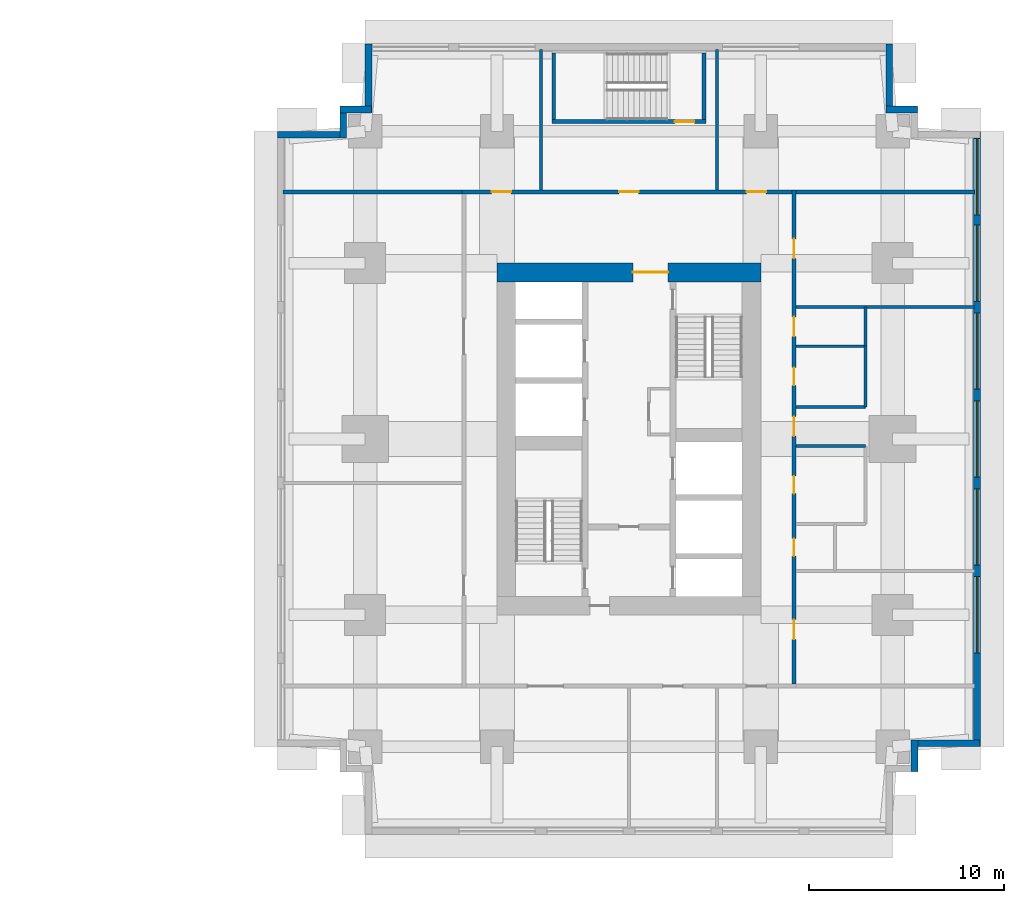
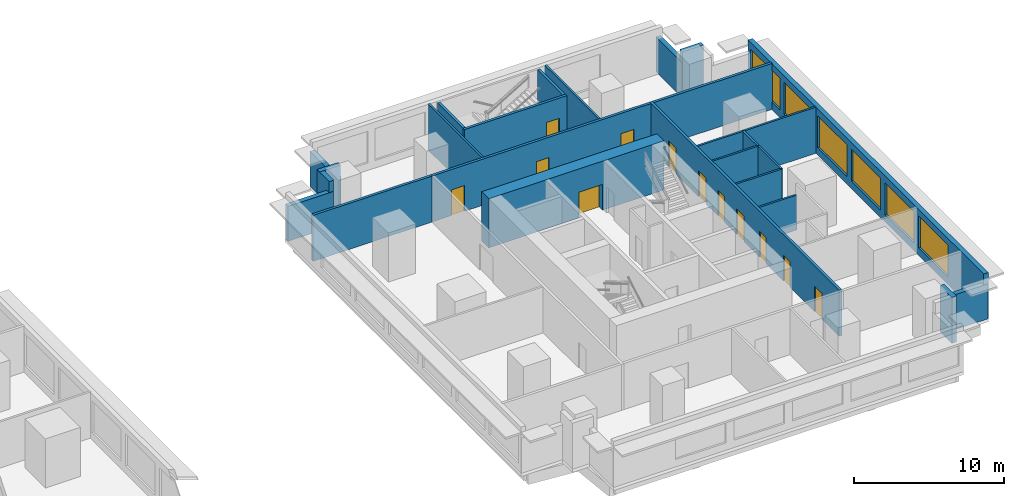
# One storey, part 7 of 11: 25 walls, 12 doors, 6 windows, 18 openings.
"""IFC4 building model written with IfcOpenShell, lengths in metres."""

from ifc_helpers import new_model, si_unit, direction, frame, frame_2d, origin, place, context, subcontext, project, spatial, rectangle, extrude, material, layer, layer_set, type_object, element, fill, save


model = new_model("IFC4")

# Units and contexts
model_context = context("Model", 3, precision=1e-05, world=origin(), true_north=direction((0.0, 1.0)))
body_context = subcontext(model_context, "Body", "Model", "MODEL_VIEW")
ifc_project = project(units=[si_unit("LENGTHUNIT", "METRE"), si_unit("AREAUNIT", "SQUARE_METRE"), si_unit("VOLUMEUNIT", "CUBIC_METRE"), si_unit("PLANEANGLEUNIT", "RADIAN"), si_unit("MASSUNIT", "GRAM", prefix="KILO")], contexts=[model_context])

# Site, building, storey
site_placement = place(None, origin())
site = spatial("IfcSite", under=ifc_project, at=site_placement, CompositionType="ELEMENT")
building_placement = place(site_placement, origin())
building = spatial("IfcBuilding", under=site, at=building_placement, Name="Namib Vertical Campus", CompositionType="ELEMENT")
storey_placement = place(building_placement, frame((0.0, 0.0, 69.0)))
storey = spatial("IfcBuildingStorey", under=building, at=storey_placement, Name="L16", CompositionType="ELEMENT", Elevation=69.0)

# Wall, opening, door
ifc_material_1 = material(Name="Concrete C60/75", Category="concrete")
ifc_layer_1 = layer(ifc_material_1, 0.949951171875)
ifc_layer_set_1 = layer_set([ifc_layer_1], Name="Concrete C60/75")
wall_type_1 = type_object("IfcWallType", Name="Core wall 950", PredefinedType="SHEAR", material=ifc_layer_set_1)
wall_1_placement = place(storey_placement, frame((87.75, 28.77490234375, 0.0), z_axis=(0.0, 0.0, 1.0), x_axis=(-1.0, 0.0, 0.0)))
wall_1 = element("IfcWall", 1, at=wall_1_placement, inside=storey, type_object=wall_type_1, Name="Core wall B L16 3", PredefinedType="SHEAR", context=body_context, shape_type="SweptSolid", body=[
    extrude(rectangle(XDim=13.5, YDim=0.949951171875, at=frame_2d((6.75, 0.0))), origin(), (0.0, 0.0, 1.0), 4.0),
])
opening_1_placement = place(wall_1_placement, frame((4.75, 0.0, 0.0)))
opening_1 = element("IfcOpeningElement", 2, at=opening_1_placement, cuts=wall_1, Name="Opening FD2", PredefinedType="OPENING", context=body_context, shape_type="SweptSolid", body=[
    extrude(rectangle(XDim=1.800048828125, YDim=2.10009765625, at=frame_2d((0.89990234375, 1.050048828125))), frame((0.0, 0.48486328125, 0.0), z_axis=(0.0, -1.0, 0.0), x_axis=(1.0, 0.0, 0.0)), (0.0, 0.0, 1.0), 0.969970703125),
])
ifc_material_2 = material(Name="Steel fire door", Category="steel")
door_type_1 = type_object("IfcDoorType", Name="Fire door double 1800x2100", OperationType="DOUBLE_DOOR_SINGLE_SWING", PredefinedType="DOOR", material=ifc_material_2)
door_1_placement = place(opening_1_placement, origin())
door_1 = element("IfcDoor", 3, at=door_1_placement, inside=storey, type_object=door_type_1, Name="Lift lobby door FD2 B L16", OperationType="DOUBLE_DOOR_SINGLE_SWING", OverallHeight=2.10009765625, OverallWidth=1.800048828125, PredefinedType="DOOR", context=body_context, shape_type="SweptSolid", body=[
    extrude(rectangle(XDim=1.800048828125, YDim=2.10009765625, at=frame_2d((0.89990234375, 1.050048828125))), frame((0.0, 0.02490234375, 0.0), z_axis=(0.0, -1.0, 0.0), x_axis=(1.0, 0.0, 0.0)), (0.0, 0.0, 1.0), 0.050048828125),
])
fill(opening_1, door_1)

# Wall, openings, doors
ifc_material_3 = material(Name="Concrete masonry", Category="masonry")
ifc_layer_2 = layer(ifc_material_3, 0.199951171875)
ifc_layer_set_2 = layer_set([ifc_layer_2], Name="Corridor wall 200")
wall_type_2 = type_object("IfcWallType", Name="Corridor wall 200", PredefinedType="SOLIDWALL", material=ifc_layer_set_2)
wall_2_placement = place(storey_placement, frame((89.449951171875, 7.699951171875, 0.0), z_axis=(0.0, 0.0, 1.0), x_axis=(0.0, 1.0, 0.0)))
wall_2 = element("IfcWall", 4, at=wall_2_placement, inside=storey, type_object=wall_type_2, Name="Corridor wall B L16 CE", PredefinedType="SOLIDWALL", context=body_context, shape_type="SweptSolid", body=[
    extrude(rectangle(XDim=25.300048828125, YDim=0.199951171875, at=frame_2d((12.64990234375, 0.0))), origin(), (0.0, 0.0, 1.0), 3.75),
])
opening_2_placement = place(wall_2_placement, frame((2.300048828125, 0.0, 0.0)))
opening_2 = element("IfcOpeningElement", 5, at=opening_2_placement, cuts=wall_2, Name="Opening CD1", PredefinedType="OPENING", context=body_context, shape_type="SweptSolid", body=[
    extrude(rectangle(XDim=1.0, YDim=2.10009765625, at=frame_2d((0.5, 1.050048828125))), frame((0.0, 0.10986328125, 0.0), z_axis=(0.0, -1.0, 0.0), x_axis=(1.0, 0.0, 0.0)), (0.0, 0.0, 1.0), 0.219970703125),
])
opening_3_placement = place(wall_2_placement, frame((6.550048828125, 0.0, 0.0)))
opening_3 = element("IfcOpeningElement", 6, at=opening_3_placement, cuts=wall_2, Name="Opening CD3", PredefinedType="OPENING", context=body_context, shape_type="SweptSolid", body=[
    extrude(rectangle(XDim=0.89990234375, YDim=2.10009765625, at=frame_2d((0.449951171875, 1.050048828125))), frame((0.0, 0.10986328125, 0.0), z_axis=(0.0, -1.0, 0.0), x_axis=(1.0, 0.0, 0.0)), (0.0, 0.0, 1.0), 0.219970703125),
])
opening_4_placement = place(wall_2_placement, frame((9.75, 0.0, 0.0)))
opening_4 = element("IfcOpeningElement", 7, at=opening_4_placement, cuts=wall_2, Name="Opening CD3", PredefinedType="OPENING", context=body_context, shape_type="SweptSolid", body=[
    extrude(rectangle(XDim=0.89990234375, YDim=2.10009765625, at=frame_2d((0.449951171875, 1.050048828125))), frame((0.0, 0.10986328125, 0.0), z_axis=(0.0, -1.0, 0.0), x_axis=(1.0, 0.0, 0.0)), (0.0, 0.0, 1.0), 0.219970703125),
])
opening_5_placement = place(wall_2_placement, frame((15.300048828125, 0.0, 0.0)))
opening_5 = element("IfcOpeningElement", 8, at=opening_5_placement, cuts=wall_2, Name="Opening CD3", PredefinedType="OPENING", context=body_context, shape_type="SweptSolid", body=[
    extrude(rectangle(XDim=0.89990234375, YDim=2.10009765625, at=frame_2d((0.449951171875, 1.050048828125))), frame((0.0, 0.10986328125, 0.0), z_axis=(0.0, -1.0, 0.0), x_axis=(1.0, 0.0, 0.0)), (0.0, 0.0, 1.0), 0.219970703125),
])
opening_6_placement = place(wall_2_placement, frame((17.800048828125, 0.0, 0.0)))
opening_6 = element("IfcOpeningElement", 9, at=opening_6_placement, cuts=wall_2, Name="Opening CD1", PredefinedType="OPENING", context=body_context, shape_type="SweptSolid", body=[
    extrude(rectangle(XDim=1.0, YDim=2.10009765625, at=frame_2d((0.5, 1.050048828125))), frame((0.0, 0.10986328125, 0.0), z_axis=(0.0, -1.0, 0.0), x_axis=(1.0, 0.0, 0.0)), (0.0, 0.0, 1.0), 0.219970703125),
])
opening_7_placement = place(wall_2_placement, frame((12.699951171875, 0.0, 0.0)))
opening_7 = element("IfcOpeningElement", 10, at=opening_7_placement, cuts=wall_2, Name="Opening CD1", PredefinedType="OPENING", context=body_context, shape_type="SweptSolid", body=[
    extrude(rectangle(XDim=1.0, YDim=2.10009765625, at=frame_2d((0.5, 1.050048828125))), frame((0.0, 0.10986328125, 0.0), z_axis=(0.0, -1.0, 0.0), x_axis=(1.0, 0.0, 0.0)), (0.0, 0.0, 1.0), 0.219970703125),
])
opening_8_placement = place(wall_2_placement, frame((21.800048828125, 0.0, 0.0)))
opening_8 = element("IfcOpeningElement", 11, at=opening_8_placement, cuts=wall_2, Name="Opening CD1", PredefinedType="OPENING", context=body_context, shape_type="SweptSolid", body=[
    extrude(rectangle(XDim=1.0, YDim=2.10009765625, at=frame_2d((0.5, 1.050048828125))), frame((0.0, 0.10986328125, 0.0), z_axis=(0.0, -1.0, 0.0), x_axis=(1.0, 0.0, 0.0)), (0.0, 0.0, 1.0), 0.219970703125),
])
ifc_material_4 = material(Name="Timber fire door leaf", Category="wood")
door_type_2 = type_object("IfcDoorType", Name="Corridor door 1000x2100 20 min", OperationType="SINGLE_SWING_LEFT", PredefinedType="DOOR", material=ifc_material_4)
door_2_placement = place(opening_2_placement, frame((1.0, 0.0, 0.0), z_axis=(0.0, 0.0, 1.0), x_axis=(-1.0, 0.0, 0.0)))
door_2 = element("IfcDoor", 12, at=door_2_placement, inside=storey, type_object=door_type_2, Name="Door CD1 B16-04", OperationType="SINGLE_SWING_RIGHT", OverallHeight=2.10009765625, OverallWidth=1.0, PredefinedType="DOOR", context=body_context, shape_type="SweptSolid", body=[
    extrude(rectangle(XDim=1.0, YDim=2.10009765625, at=frame_2d((0.5, 1.050048828125))), frame((0.0, 0.02490234375, 0.0), z_axis=(0.0, -1.0, 0.0), x_axis=(1.0, 0.0, 0.0)), (0.0, 0.0, 1.0), 0.050048828125),
])
fill(opening_2, door_2)
door_3_placement = place(opening_6_placement, frame((1.0, 0.0, 0.0), z_axis=(0.0, 0.0, 1.0), x_axis=(-1.0, 0.0, 0.0)))
door_3 = element("IfcDoor", 13, at=door_3_placement, inside=storey, type_object=door_type_2, Name="Door CD1 B16-08", OperationType="SINGLE_SWING_RIGHT", OverallHeight=2.10009765625, OverallWidth=1.0, PredefinedType="DOOR", context=body_context, shape_type="SweptSolid", body=[
    extrude(rectangle(XDim=1.0, YDim=2.10009765625, at=frame_2d((0.5, 1.050048828125))), frame((0.0, 0.02490234375, 0.0), z_axis=(0.0, -1.0, 0.0), x_axis=(1.0, 0.0, 0.0)), (0.0, 0.0, 1.0), 0.050048828125),
])
fill(opening_6, door_3)
door_4_placement = place(opening_7_placement, frame((1.0, 0.0, 0.0), z_axis=(0.0, 0.0, 1.0), x_axis=(-1.0, 0.0, 0.0)))
door_4 = element("IfcDoor", 14, at=door_4_placement, inside=storey, type_object=door_type_2, Name="Door CD1 B16-09", OperationType="SINGLE_SWING_RIGHT", OverallHeight=2.10009765625, OverallWidth=1.0, PredefinedType="DOOR", context=body_context, shape_type="SweptSolid", body=[
    extrude(rectangle(XDim=1.0, YDim=2.10009765625, at=frame_2d((0.5, 1.050048828125))), frame((0.0, 0.02490234375, 0.0), z_axis=(0.0, -1.0, 0.0), x_axis=(1.0, 0.0, 0.0)), (0.0, 0.0, 1.0), 0.050048828125),
])
fill(opening_7, door_4)
door_5_placement = place(opening_8_placement, frame((1.0, 0.0, 0.0), z_axis=(0.0, 0.0, 1.0), x_axis=(-1.0, 0.0, 0.0)))
door_5 = element("IfcDoor", 15, at=door_5_placement, inside=storey, type_object=door_type_2, Name="Door CD1 B16-10", OperationType="SINGLE_SWING_RIGHT", OverallHeight=2.10009765625, OverallWidth=1.0, PredefinedType="DOOR", context=body_context, shape_type="SweptSolid", body=[
    extrude(rectangle(XDim=1.0, YDim=2.10009765625, at=frame_2d((0.5, 1.050048828125))), frame((0.0, 0.02490234375, 0.0), z_axis=(0.0, -1.0, 0.0), x_axis=(1.0, 0.0, 0.0)), (0.0, 0.0, 1.0), 0.050048828125),
])
fill(opening_8, door_5)
ifc_material_5 = material(Name="Timber fire door leaf", Category="wood")
door_type_3 = type_object("IfcDoorType", Name="Corridor toilet door 900x2100 20 min", OperationType="SINGLE_SWING_LEFT", PredefinedType="DOOR", material=ifc_material_5)
door_6_placement = place(opening_3_placement, frame((0.89990234375, 0.0, 0.0), z_axis=(0.0, 0.0, 1.0), x_axis=(-1.0, 0.0, 0.0)))
door_6 = element("IfcDoor", 16, at=door_6_placement, inside=storey, type_object=door_type_3, Name="Door CD3 B16-05", OperationType="SINGLE_SWING_RIGHT", OverallHeight=2.10009765625, OverallWidth=0.89990234375, PredefinedType="DOOR", context=body_context, shape_type="SweptSolid", body=[
    extrude(rectangle(XDim=0.89990234375, YDim=2.10009765625, at=frame_2d((0.449951171875, 1.050048828125))), frame((0.0, 0.02490234375, 0.0), z_axis=(0.0, -1.0, 0.0), x_axis=(1.0, 0.0, 0.0)), (0.0, 0.0, 1.0), 0.050048828125),
])
fill(opening_3, door_6)
door_7_placement = place(opening_4_placement, frame((0.89990234375, 0.0, 0.0), z_axis=(0.0, 0.0, 1.0), x_axis=(-1.0, 0.0, 0.0)))
door_7 = element("IfcDoor", 17, at=door_7_placement, inside=storey, type_object=door_type_3, Name="Door CD3 B16-06", OperationType="SINGLE_SWING_RIGHT", OverallHeight=2.10009765625, OverallWidth=0.89990234375, PredefinedType="DOOR", context=body_context, shape_type="SweptSolid", body=[
    extrude(rectangle(XDim=0.89990234375, YDim=2.10009765625, at=frame_2d((0.449951171875, 1.050048828125))), frame((0.0, 0.02490234375, 0.0), z_axis=(0.0, -1.0, 0.0), x_axis=(1.0, 0.0, 0.0)), (0.0, 0.0, 1.0), 0.050048828125),
])
fill(opening_4, door_7)
door_8_placement = place(opening_5_placement, frame((0.89990234375, 0.0, 0.0), z_axis=(0.0, 0.0, 1.0), x_axis=(-1.0, 0.0, 0.0)))
door_8 = element("IfcDoor", 18, at=door_8_placement, inside=storey, type_object=door_type_3, Name="Door CD3 B16-07", OperationType="SINGLE_SWING_RIGHT", OverallHeight=2.10009765625, OverallWidth=0.89990234375, PredefinedType="DOOR", context=body_context, shape_type="SweptSolid", body=[
    extrude(rectangle(XDim=0.89990234375, YDim=2.10009765625, at=frame_2d((0.449951171875, 1.050048828125))), frame((0.0, 0.02490234375, 0.0), z_axis=(0.0, -1.0, 0.0), x_axis=(1.0, 0.0, 0.0)), (0.0, 0.0, 1.0), 0.050048828125),
])
fill(opening_5, door_8)

wall_3_placement = place(storey_placement, frame((89.35009765625, 32.89990234375, 0.0), z_axis=(0.0, 0.0, 1.0), x_axis=(-1.0, 0.0, 0.0)))
wall_3 = element("IfcWall", 19, at=wall_3_placement, inside=storey, type_object=wall_type_2, Name="Corridor wall B L16 CN", PredefinedType="SOLIDWALL", context=body_context, shape_type="SweptSolid", body=[
    extrude(rectangle(XDim=16.900146484375, YDim=0.199951171875, at=frame_2d((8.4501953125, 0.0))), origin(), (0.0, 0.0, 1.0), 3.75),
])
opening_9_placement = place(wall_3_placement, frame((14.375, 0.0, 0.0)))
opening_9 = element("IfcOpeningElement", 20, at=opening_9_placement, cuts=wall_3, Name="Opening CD1", PredefinedType="OPENING", context=body_context, shape_type="SweptSolid", body=[
    extrude(rectangle(XDim=1.0, YDim=2.10009765625, at=frame_2d((0.5, 1.050048828125))), frame((0.0, 0.10986328125, 0.0), z_axis=(0.0, -1.0, 0.0), x_axis=(1.0, 0.0, 0.0)), (0.0, 0.0, 1.0), 0.219970703125),
])
opening_10_placement = place(wall_3_placement, frame((7.85009765625, 0.0, 0.0)))
opening_10 = element("IfcOpeningElement", 21, at=opening_10_placement, cuts=wall_3, Name="Opening CD1", PredefinedType="OPENING", context=body_context, shape_type="SweptSolid", body=[
    extrude(rectangle(XDim=1.0, YDim=2.10009765625, at=frame_2d((0.5, 1.050048828125))), frame((0.0, 0.10986328125, 0.0), z_axis=(0.0, -1.0, 0.0), x_axis=(1.0, 0.0, 0.0)), (0.0, 0.0, 1.0), 0.219970703125),
])
opening_11_placement = place(wall_3_placement, frame((1.324951171875, 0.0, 0.0)))
opening_11 = element("IfcOpeningElement", 22, at=opening_11_placement, cuts=wall_3, Name="Opening CD1", PredefinedType="OPENING", context=body_context, shape_type="SweptSolid", body=[
    extrude(rectangle(XDim=1.0, YDim=2.10009765625, at=frame_2d((0.5, 1.050048828125))), frame((0.0, 0.10986328125, 0.0), z_axis=(0.0, -1.0, 0.0), x_axis=(1.0, 0.0, 0.0)), (0.0, 0.0, 1.0), 0.219970703125),
])
door_9_placement = place(opening_9_placement, frame((1.0, 0.0, 0.0), z_axis=(0.0, 0.0, 1.0), x_axis=(-1.0, 0.0, 0.0)))
door_9 = element("IfcDoor", 23, at=door_9_placement, inside=storey, type_object=door_type_2, Name="Door CD1 B16-11", OperationType="SINGLE_SWING_RIGHT", OverallHeight=2.10009765625, OverallWidth=1.0, PredefinedType="DOOR", context=body_context, shape_type="SweptSolid", body=[
    extrude(rectangle(XDim=1.0, YDim=2.10009765625, at=frame_2d((0.5, 1.050048828125))), frame((0.0, 0.02490234375, 0.0), z_axis=(0.0, -1.0, 0.0), x_axis=(1.0, 0.0, 0.0)), (0.0, 0.0, 1.0), 0.050048828125),
])
fill(opening_9, door_9)
door_10_placement = place(opening_10_placement, frame((1.0, 0.0, 0.0), z_axis=(0.0, 0.0, 1.0), x_axis=(-1.0, 0.0, 0.0)))
door_10 = element("IfcDoor", 24, at=door_10_placement, inside=storey, type_object=door_type_2, Name="Door CD1 B16-12", OperationType="SINGLE_SWING_RIGHT", OverallHeight=2.10009765625, OverallWidth=1.0, PredefinedType="DOOR", context=body_context, shape_type="SweptSolid", body=[
    extrude(rectangle(XDim=1.0, YDim=2.10009765625, at=frame_2d((0.5, 1.050048828125))), frame((0.0, 0.02490234375, 0.0), z_axis=(0.0, -1.0, 0.0), x_axis=(1.0, 0.0, 0.0)), (0.0, 0.0, 1.0), 0.050048828125),
])
fill(opening_10, door_10)
door_11_placement = place(opening_11_placement, frame((1.0, 0.0, 0.0), z_axis=(0.0, 0.0, 1.0), x_axis=(-1.0, 0.0, 0.0)))
door_11 = element("IfcDoor", 25, at=door_11_placement, inside=storey, type_object=door_type_2, Name="Door CD1 B16-13", OperationType="SINGLE_SWING_LEFT", OverallHeight=2.10009765625, OverallWidth=1.0, PredefinedType="DOOR", context=body_context, shape_type="SweptSolid", body=[
    extrude(rectangle(XDim=1.0, YDim=2.10009765625, at=frame_2d((0.5, 1.050048828125))), frame((0.0, 0.02490234375, 0.0), z_axis=(0.0, -1.0, 0.0), x_axis=(1.0, 0.0, 0.0)), (0.0, 0.0, 1.0), 0.050048828125),
])
fill(opening_11, door_11)

# Walls
for number, where, z_axis, x_axis, name in (
    (26, (63.300048828125, 32.89990234375, 0.0), (0.0, 0.0, 1.0), (1.0, 0.0, 0.0), "Partition B L16 BNW"),
    (27, (89.550048828125, 32.89990234375, 0.0), (0.0, 0.0, 1.0), (1.0, 0.0, 0.0), "Partition B L16 BNE"),
):
    element("IfcWall", number, at=place(storey_placement, frame(where, z_axis=z_axis, x_axis=x_axis)), inside=storey, type_object=wall_type_2, Name=name, PredefinedType="SOLIDWALL", context=body_context, shape_type="SweptSolid", body=[
        extrude(rectangle(XDim=9.14990234375, YDim=0.199951171875, at=frame_2d((4.574951171875, 0.0))), origin(), (0.0, 0.0, 1.0), 3.75),
    ])
ifc_material_6 = material(Name="Concrete C40/50", Category="concrete")
ifc_layer_3 = layer(ifc_material_6, 0.35009765625)
ifc_layer_set_3 = layer_set([ifc_layer_3], Name="Concrete C40/50")
wall_type_3 = type_object("IfcWallType", Name="External wall 350 bush-hammered concrete", PredefinedType="STANDARD", material=ifc_layer_set_3)
wall_4_placement = place(storey_placement, frame((95.625, 3.219970703125, 0.0), z_axis=(0.0, 0.0, 1.0), x_axis=(0.0, 1.0, 0.0)))
element("IfcWall", 28, at=wall_4_placement, inside=storey, type_object=wall_type_3, Name="External wall L16 F04", PredefinedType="STANDARD", context=body_context, shape_type="SweptSolid", body=[
    extrude(rectangle(XDim=1.610107421875, YDim=0.35009765625, at=frame_2d((0.80517578125, 0.0))), origin(), (0.0, 0.0, 1.0), 3.75),
])
wall_5_placement = place(storey_placement, frame((95.469970703125, 4.675048828125, 0.0), z_axis=(0.0, 0.0, 1.0), x_axis=(1.0, 0.0, 0.0)))
element("IfcWall", 29, at=wall_5_placement, inside=storey, type_object=wall_type_3, Name="External wall L16 F05", PredefinedType="STANDARD", context=body_context, shape_type="SweptSolid", body=[
    extrude(rectangle(XDim=3.510009765625, YDim=0.35009765625, at=frame_2d((1.7548828125, 0.0))), origin(), (0.0, 0.0, 1.0), 2.85009765625),
])

# Wall, openings, windows
wall_6_placement = place(storey_placement, frame((98.824951171875, 4.52001953125, 0.0), z_axis=(0.0, 0.0, 1.0), x_axis=(0.0, 1.0, 0.0)))
wall_6 = element("IfcWall", 30, at=wall_6_placement, inside=storey, type_object=wall_type_3, Name="External wall L16 F06", PredefinedType="STANDARD", context=body_context, shape_type="SweptSolid", body=[
    extrude(rectangle(XDim=31.4599609375, YDim=0.35009765625, at=frame_2d((15.72998046875, 0.0))), origin(), (0.0, 0.0, 1.0), 3.75),
])
opening_12_placement = place(wall_6_placement, frame((4.780029296875, 0.0, 0.60009765625)))
opening_12 = element("IfcOpeningElement", 31, at=opening_12_placement, cuts=wall_6, Name="Opening W2", PredefinedType="OPENING", context=body_context, shape_type="SweptSolid", body=[
    extrude(rectangle(XDim=3.89990234375, YDim=2.60009765625, at=frame_2d((1.949951171875, 1.300048828125))), frame((0.0, 0.18505859375, 0.0), z_axis=(0.0, -1.0, 0.0), x_axis=(1.0, 0.0, 0.0)), (0.0, 0.0, 1.0), 0.3701171875),
])
opening_13_placement = place(wall_6_placement, frame((9.280029296875, 0.0, 0.60009765625)))
opening_13 = element("IfcOpeningElement", 32, at=opening_13_placement, cuts=wall_6, Name="Opening W2", PredefinedType="OPENING", context=body_context, shape_type="SweptSolid", body=[
    extrude(rectangle(XDim=3.89990234375, YDim=2.60009765625, at=frame_2d((1.949951171875, 1.300048828125))), frame((0.0, 0.18505859375, 0.0), z_axis=(0.0, -1.0, 0.0), x_axis=(1.0, 0.0, 0.0)), (0.0, 0.0, 1.0), 0.3701171875),
])
opening_14_placement = place(wall_6_placement, frame((13.780029296875, 0.0, 0.60009765625)))
opening_14 = element("IfcOpeningElement", 33, at=opening_14_placement, cuts=wall_6, Name="Opening W2", PredefinedType="OPENING", context=body_context, shape_type="SweptSolid", body=[
    extrude(rectangle(XDim=3.89990234375, YDim=2.60009765625, at=frame_2d((1.949951171875, 1.300048828125))), frame((0.0, 0.18505859375, 0.0), z_axis=(0.0, -1.0, 0.0), x_axis=(1.0, 0.0, 0.0)), (0.0, 0.0, 1.0), 0.3701171875),
])
opening_15_placement = place(wall_6_placement, frame((18.280029296875, 0.0, 0.60009765625)))
opening_15 = element("IfcOpeningElement", 34, at=opening_15_placement, cuts=wall_6, Name="Opening W2", PredefinedType="OPENING", context=body_context, shape_type="SweptSolid", body=[
    extrude(rectangle(XDim=3.89990234375, YDim=2.60009765625, at=frame_2d((1.949951171875, 1.300048828125))), frame((0.0, 0.18505859375, 0.0), z_axis=(0.0, -1.0, 0.0), x_axis=(1.0, 0.0, 0.0)), (0.0, 0.0, 1.0), 0.3701171875),
])
opening_16_placement = place(wall_6_placement, frame((22.780029296875, 0.0, 0.60009765625)))
opening_16 = element("IfcOpeningElement", 35, at=opening_16_placement, cuts=wall_6, Name="Opening W2", PredefinedType="OPENING", context=body_context, shape_type="SweptSolid", body=[
    extrude(rectangle(XDim=3.89990234375, YDim=2.60009765625, at=frame_2d((1.949951171875, 1.300048828125))), frame((0.0, 0.18505859375, 0.0), z_axis=(0.0, -1.0, 0.0), x_axis=(1.0, 0.0, 0.0)), (0.0, 0.0, 1.0), 0.3701171875),
])
opening_17_placement = place(wall_6_placement, frame((27.2099609375, 0.0, 0.60009765625)))
opening_17 = element("IfcOpeningElement", 36, at=opening_17_placement, cuts=wall_6, Name="Opening W2", PredefinedType="OPENING", context=body_context, shape_type="SweptSolid", body=[
    extrude(rectangle(XDim=3.89990234375, YDim=2.60009765625, at=frame_2d((1.949951171875, 1.300048828125))), frame((0.0, 0.18505859375, 0.0), z_axis=(0.0, -1.0, 0.0), x_axis=(1.0, 0.0, 0.0)), (0.0, 0.0, 1.0), 0.3701171875),
])
ifc_material_7 = material(Name="Dark tinted glass in black aluminium frame", Category="aluminium")
window_type = type_object("IfcWindowType", Name="Ribbon window 3900x2600", PartitioningType="SINGLE_PANEL", PredefinedType="WINDOW", material=ifc_material_7)
window_1_placement = place(opening_12_placement, origin())
window_1 = element("IfcWindow", 37, at=window_1_placement, inside=storey, type_object=window_type, Name="Window W2 L16 F06-2", OverallHeight=2.60009765625, OverallWidth=3.89990234375, PartitioningType="SINGLE_PANEL", PredefinedType="WINDOW", context=body_context, shape_type="SweptSolid", body=[
    extrude(rectangle(XDim=3.89990234375, YDim=2.60009765625, at=frame_2d((1.949951171875, 1.300048828125))), frame((0.0, 0.030029296875, 0.0), z_axis=(0.0, -1.0, 0.0), x_axis=(1.0, 0.0, 0.0)), (0.0, 0.0, 1.0), 0.06005859375),
])
fill(opening_12, window_1)
window_2_placement = place(opening_13_placement, origin())
window_2 = element("IfcWindow", 38, at=window_2_placement, inside=storey, type_object=window_type, Name="Window W2 L16 F06-3", OverallHeight=2.60009765625, OverallWidth=3.89990234375, PartitioningType="SINGLE_PANEL", PredefinedType="WINDOW", context=body_context, shape_type="SweptSolid", body=[
    extrude(rectangle(XDim=3.89990234375, YDim=2.60009765625, at=frame_2d((1.949951171875, 1.300048828125))), frame((0.0, 0.030029296875, 0.0), z_axis=(0.0, -1.0, 0.0), x_axis=(1.0, 0.0, 0.0)), (0.0, 0.0, 1.0), 0.06005859375),
])
fill(opening_13, window_2)
window_3_placement = place(opening_14_placement, origin())
window_3 = element("IfcWindow", 39, at=window_3_placement, inside=storey, type_object=window_type, Name="Window W2 L16 F06-4", OverallHeight=2.60009765625, OverallWidth=3.89990234375, PartitioningType="SINGLE_PANEL", PredefinedType="WINDOW", context=body_context, shape_type="SweptSolid", body=[
    extrude(rectangle(XDim=3.89990234375, YDim=2.60009765625, at=frame_2d((1.949951171875, 1.300048828125))), frame((0.0, 0.030029296875, 0.0), z_axis=(0.0, -1.0, 0.0), x_axis=(1.0, 0.0, 0.0)), (0.0, 0.0, 1.0), 0.06005859375),
])
fill(opening_14, window_3)
window_4_placement = place(opening_15_placement, origin())
window_4 = element("IfcWindow", 40, at=window_4_placement, inside=storey, type_object=window_type, Name="Window W2 L16 F06-5", OverallHeight=2.60009765625, OverallWidth=3.89990234375, PartitioningType="SINGLE_PANEL", PredefinedType="WINDOW", context=body_context, shape_type="SweptSolid", body=[
    extrude(rectangle(XDim=3.89990234375, YDim=2.60009765625, at=frame_2d((1.949951171875, 1.300048828125))), frame((0.0, 0.030029296875, 0.0), z_axis=(0.0, -1.0, 0.0), x_axis=(1.0, 0.0, 0.0)), (0.0, 0.0, 1.0), 0.06005859375),
])
fill(opening_15, window_4)
window_5_placement = place(opening_16_placement, origin())
window_5 = element("IfcWindow", 41, at=window_5_placement, inside=storey, type_object=window_type, Name="Window W2 L16 F06-6", OverallHeight=2.60009765625, OverallWidth=3.89990234375, PartitioningType="SINGLE_PANEL", PredefinedType="WINDOW", context=body_context, shape_type="SweptSolid", body=[
    extrude(rectangle(XDim=3.89990234375, YDim=2.60009765625, at=frame_2d((1.949951171875, 1.300048828125))), frame((0.0, 0.030029296875, 0.0), z_axis=(0.0, -1.0, 0.0), x_axis=(1.0, 0.0, 0.0)), (0.0, 0.0, 1.0), 0.06005859375),
])
fill(opening_16, window_5)
window_6_placement = place(opening_17_placement, origin())
window_6 = element("IfcWindow", 42, at=window_6_placement, inside=storey, type_object=window_type, Name="Window W2 L16 F06-7", OverallHeight=2.60009765625, OverallWidth=3.89990234375, PartitioningType="SINGLE_PANEL", PredefinedType="WINDOW", context=body_context, shape_type="SweptSolid", body=[
    extrude(rectangle(XDim=3.89990234375, YDim=2.60009765625, at=frame_2d((1.949951171875, 1.300048828125))), frame((0.0, 0.030029296875, 0.0), z_axis=(0.0, -1.0, 0.0), x_axis=(1.0, 0.0, 0.0)), (0.0, 0.0, 1.0), 0.06005859375),
])
fill(opening_17, window_6)

# Walls
wall_7_placement = place(storey_placement, frame((95.780029296875, 37.125, 0.0), z_axis=(0.0, 0.0, 1.0), x_axis=(-1.0, 0.0, 0.0)))
element("IfcWall", 43, at=wall_7_placement, inside=storey, type_object=wall_type_3, Name="External wall L16 F09", PredefinedType="STANDARD", context=body_context, shape_type="SweptSolid", body=[
    extrude(rectangle(XDim=1.610107421875, YDim=0.35009765625, at=frame_2d((0.80517578125, 0.0))), origin(), (0.0, 0.0, 1.0), 3.75),
])
for number, where, z_axis, x_axis, name in (
    (44, (94.324951171875, 36.969970703125, 0.0), (0.0, 0.0, 1.0), (0.0, 1.0, 0.0), "External wall L16 F10"),
    (45, (67.675048828125, 40.47998046875, 0.0), (0.0, 0.0, 1.0), (0.0, -1.0, 0.0), "External wall L16 F12"),
):
    element("IfcWall", number, at=place(storey_placement, frame(where, z_axis=z_axis, x_axis=x_axis)), inside=storey, type_object=wall_type_3, Name=name, PredefinedType="STANDARD", context=body_context, shape_type="SweptSolid", body=[
        extrude(rectangle(XDim=3.510009765625, YDim=0.35009765625, at=frame_2d((1.7548828125, 0.0))), origin(), (0.0, 0.0, 1.0), 2.85009765625),
    ])
for number, where, z_axis, x_axis, name in (
    (46, (67.830078125, 37.125, 0.0), (0.0, 0.0, 1.0), (-1.0, 0.0, 0.0), "External wall L16 F13"),
    (47, (66.375, 37.280029296875, 0.0), (0.0, 0.0, 1.0), (0.0, -1.0, 0.0), "External wall L16 F14"),
):
    element("IfcWall", number, at=place(storey_placement, frame(where, z_axis=z_axis, x_axis=x_axis)), inside=storey, type_object=wall_type_3, Name=name, PredefinedType="STANDARD", context=body_context, shape_type="SweptSolid", body=[
        extrude(rectangle(XDim=1.610107421875, YDim=0.35009765625, at=frame_2d((0.80517578125, 0.0))), origin(), (0.0, 0.0, 1.0), 3.75),
    ])
wall_8_placement = place(storey_placement, frame((66.530029296875, 35.824951171875, 0.0), z_axis=(0.0, 0.0, 1.0), x_axis=(-1.0, 0.0, 0.0)))
element("IfcWall", 48, at=wall_8_placement, inside=storey, type_object=wall_type_3, Name="External wall L16 F15", PredefinedType="STANDARD", context=body_context, shape_type="SweptSolid", body=[
    extrude(rectangle(XDim=3.510009765625, YDim=0.35009765625, at=frame_2d((1.7548828125, 0.0))), origin(), (0.0, 0.0, 1.0), 2.85009765625),
])
ifc_material_8 = material(Name="Gypsum board on steel studs", Category="steel")
ifc_layer_4 = layer(ifc_material_8, 0.14990234375)
ifc_layer_set_4 = layer_set([ifc_layer_4], Name="Gypsum board on steel studs")
wall_type_4 = type_object("IfcWallType", Name="Partition 150", PredefinedType="PARTITIONING", material=ifc_layer_set_4)
for number, where, z_axis, x_axis, name in (
    (49, (76.5, 33.0, 0.0), (0.0, 0.0, 1.0), (0.0, 1.0, 0.0), "Partition B L16 PN1"),
    (50, (85.5, 33.0, 0.0), (0.0, 0.0, 1.0), (0.0, 1.0, 0.0), "Partition B L16 PN2"),
):
    element("IfcWall", number, at=place(storey_placement, frame(where, z_axis=z_axis, x_axis=x_axis)), inside=storey, type_object=wall_type_4, Name=name, PredefinedType="PARTITIONING", context=body_context, shape_type="SweptSolid", body=[
        extrude(rectangle(XDim=7.199951171875, YDim=0.14990234375, at=frame_2d((3.60009765625, 0.0))), origin(), (0.0, 0.0, 1.0), 3.75),
    ])
wall_9_placement = place(storey_placement, frame((89.550048828125, 27.0, 0.0), z_axis=(0.0, 0.0, 1.0), x_axis=(1.0, 0.0, 0.0)))
element("IfcWall", 51, at=wall_9_placement, inside=storey, type_object=wall_type_4, Name="Partition B L16 PE2", PredefinedType="PARTITIONING", context=body_context, shape_type="SweptSolid", body=[
    extrude(rectangle(XDim=9.14990234375, YDim=0.14990234375, at=frame_2d((4.574951171875, 0.0))), origin(), (0.0, 0.0, 1.0), 3.75),
])
wall_10_placement = place(storey_placement, frame((89.550048828125, 19.89990234375, 0.0), z_axis=(0.0, 0.0, 1.0), x_axis=(1.0, 0.0, 0.0)))
element("IfcWall", 52, at=wall_10_placement, inside=storey, type_object=wall_type_4, Name="Partition B L16 WR2", PredefinedType="PARTITIONING", context=body_context, shape_type="SweptSolid", body=[
    extrude(rectangle(XDim=3.550048828125, YDim=0.14990234375, at=frame_2d((1.77490234375, 0.0))), origin(), (0.0, 0.0, 1.0), 2.85009765625),
])
for number, where, z_axis, x_axis, name in (
    (53, (89.550048828125, 21.89990234375, 0.0), (0.0, 0.0, 1.0), (1.0, 0.0, 0.0), "Partition B L16 WR3"),
    (54, (89.550048828125, 25.0, 0.0), (0.0, 0.0, 1.0), (1.0, 0.0, 0.0), "Partition B L16 WR4"),
):
    element("IfcWall", number, at=place(storey_placement, frame(where, z_axis=z_axis, x_axis=x_axis)), inside=storey, type_object=wall_type_4, Name=name, PredefinedType="PARTITIONING", context=body_context, shape_type="SweptSolid", body=[
        extrude(rectangle(XDim=3.550048828125, YDim=0.14990234375, at=frame_2d((1.77490234375, 0.0))), origin(), (0.0, 0.0, 1.0), 3.75),
    ])
wall_11_placement = place(storey_placement, frame((93.10009765625, 21.89990234375, 0.0), z_axis=(0.0, 0.0, 1.0), x_axis=(0.0, 1.0, 0.0)))
element("IfcWall", 55, at=wall_11_placement, inside=storey, type_object=wall_type_4, Name="Partition B L16 WB3", PredefinedType="PARTITIONING", context=body_context, shape_type="SweptSolid", body=[
    extrude(rectangle(XDim=3.10009765625, YDim=0.14990234375, at=frame_2d((1.550048828125, 0.0))), origin(), (0.0, 0.0, 1.0), 3.75),
])
wall_12_placement = place(storey_placement, frame((93.10009765625, 25.0, 0.0), z_axis=(0.0, 0.0, 1.0), x_axis=(0.0, 1.0, 0.0)))
element("IfcWall", 56, at=wall_12_placement, inside=storey, type_object=wall_type_4, Name="Partition B L16 WB4", PredefinedType="PARTITIONING", context=body_context, shape_type="SweptSolid", body=[
    extrude(rectangle(XDim=2.0, YDim=0.14990234375, at=frame_2d((1.0, 0.0))), origin(), (0.0, 0.0, 1.0), 3.75),
])

# Wall, opening, door
ifc_material_9 = material(Name="Concrete C40/50", Category="concrete")
ifc_layer_5 = layer(ifc_material_9, 0.199951171875)
ifc_layer_set_5 = layer_set([ifc_layer_5], Name="Concrete C40/50")
wall_type_5 = type_object("IfcWallType", Name="Stair enclosure wall RC 200", PredefinedType="SOLIDWALL", material=ifc_layer_set_5)
wall_13_placement = place(storey_placement, frame((77.050048828125, 36.5, 0.0), z_axis=(0.0, 0.0, 1.0), x_axis=(1.0, 0.0, 0.0)))
wall_13 = element("IfcWall", 57, at=wall_13_placement, inside=storey, type_object=wall_type_5, Name="Stair enclosure wall B-S3 L16 S", PredefinedType="SOLIDWALL", context=body_context, shape_type="SweptSolid", body=[
    extrude(rectangle(XDim=7.89990234375, YDim=0.199951171875, at=frame_2d((3.949951171875, 0.0))), origin(), (0.0, 0.0, 1.0), 3.75),
])
opening_18_placement = place(wall_13_placement, frame((6.300048828125, 0.0, 0.0)))
opening_18 = element("IfcOpeningElement", 58, at=opening_18_placement, cuts=wall_13, Name="Opening FD1", PredefinedType="OPENING", context=body_context, shape_type="SweptSolid", body=[
    extrude(rectangle(XDim=1.0, YDim=2.10009765625, at=frame_2d((0.5, 1.050048828125))), frame((0.0, 0.10986328125, 0.0), z_axis=(0.0, -1.0, 0.0), x_axis=(1.0, 0.0, 0.0)), (0.0, 0.0, 1.0), 0.219970703125),
])
ifc_material_10 = material(Name="Steel fire door", Category="steel")
door_type_4 = type_object("IfcDoorType", Name="Fire door 1000x2100", OperationType="SINGLE_SWING_RIGHT", PredefinedType="DOOR", material=ifc_material_10)
door_12_placement = place(opening_18_placement, origin())
door_12 = element("IfcDoor", 59, at=door_12_placement, inside=storey, type_object=door_type_4, Name="Stair door FD1 B L16 S3", OperationType="SINGLE_SWING_RIGHT", OverallHeight=2.10009765625, OverallWidth=1.0, PredefinedType="DOOR", context=body_context, shape_type="SweptSolid", body=[
    extrude(rectangle(XDim=1.0, YDim=2.10009765625, at=frame_2d((0.5, 1.050048828125))), frame((0.0, 0.02490234375, 0.0), z_axis=(0.0, -1.0, 0.0), x_axis=(1.0, 0.0, 0.0)), (0.0, 0.0, 1.0), 0.050048828125),
])
fill(opening_18, door_12)

# Walls
for number, where, z_axis, x_axis, name in (
    (60, (77.14990234375, 36.60009765625, 0.0), (0.0, 0.0, 1.0), (0.0, 1.0, 0.0), "Stair enclosure wall B-S3 L16 W"),
    (61, (84.85009765625, 36.60009765625, 0.0), (0.0, 0.0, 1.0), (0.0, 1.0, 0.0), "Stair enclosure wall B-S3 L16 E"),
):
    element("IfcWall", number, at=place(storey_placement, frame(where, z_axis=z_axis, x_axis=x_axis)), inside=storey, type_object=wall_type_5, Name=name, PredefinedType="SOLIDWALL", context=body_context, shape_type="SweptSolid", body=[
        extrude(rectangle(XDim=3.39990234375, YDim=0.199951171875, at=frame_2d((1.699951171875, 0.0))), origin(), (0.0, 0.0, 1.0), 3.75),
    ])

save(model, "model.ifc")
